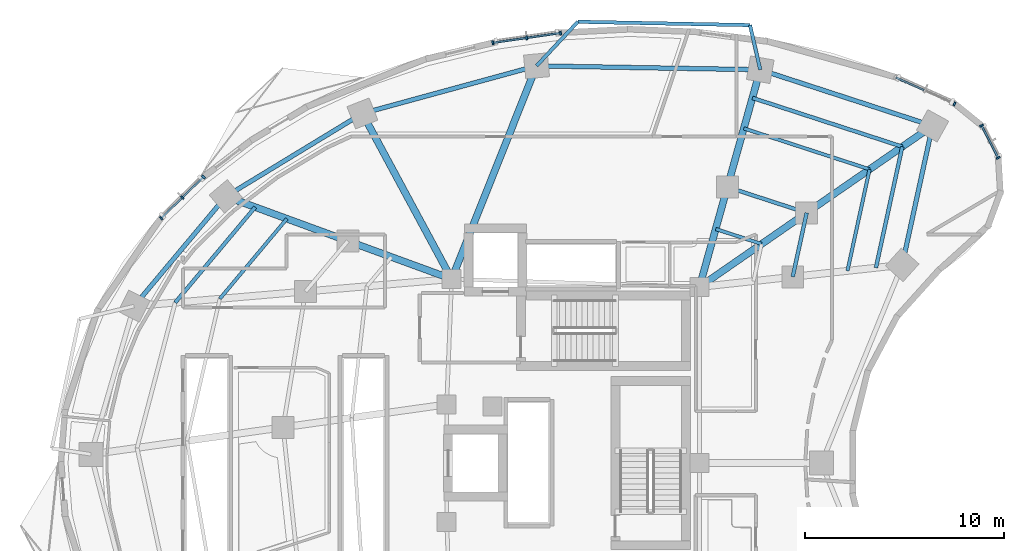
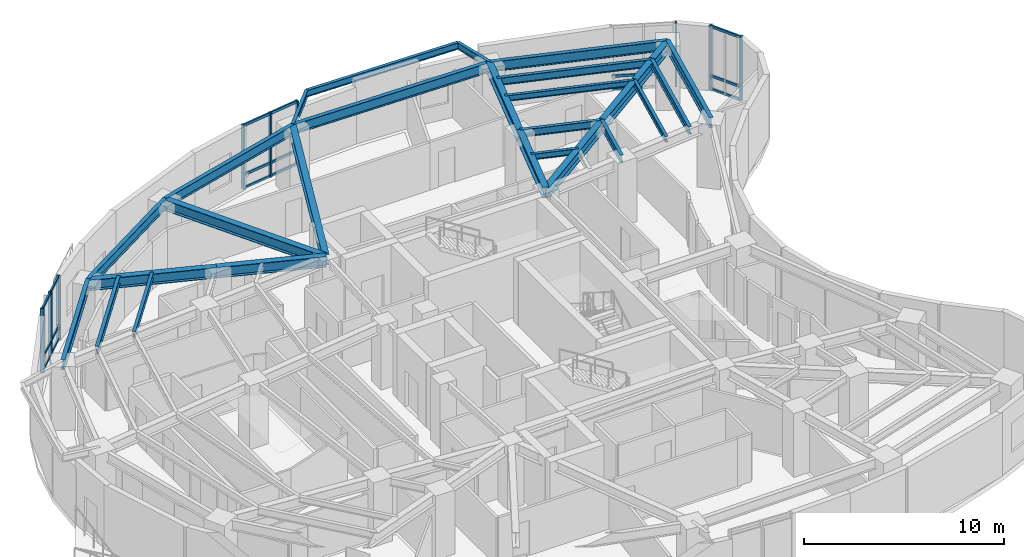
# One storey, part 4 of 14: 26 beams, 26 members, 4 elements without a shape of their own.
"""IFC4 building model written with IfcOpenShell, lengths in metres."""

from ifc_helpers import new_model, si_unit, direction, frame, origin, origin_2d, place, context, subcontext, project, spatial, rectangle, i_section, extrude, material, layer, layer_set, material_profile, profile_set, type_object, element, aggregate, save


model = new_model("IFC4")

# Units and contexts
model_context = context("Model", 3, precision=1e-05, world=origin(), true_north=direction((0.0, 1.0)))
body_context = subcontext(model_context, "Body", "Model", "MODEL_VIEW")
ifc_project = project(units=[si_unit("LENGTHUNIT", "METRE"), si_unit("AREAUNIT", "SQUARE_METRE"), si_unit("VOLUMEUNIT", "CUBIC_METRE"), si_unit("PLANEANGLEUNIT", "RADIAN"), si_unit("MASSUNIT", "GRAM", prefix="KILO")], contexts=[model_context])

# Site, building, storey
site_placement = place(None, origin())
site = spatial("IfcSite", under=ifc_project, at=site_placement, CompositionType="ELEMENT")
building_placement = place(site_placement, origin())
building = spatial("IfcBuilding", under=site, at=building_placement, Name="Korentha Bioscience Tower", CompositionType="ELEMENT")
storey_placement = place(building_placement, frame((0.0, 0.0, 90.0)))
storey = spatial("IfcBuildingStorey", under=building, at=storey_placement, Name="L20", CompositionType="ELEMENT", Elevation=90.0)

# Beams
ifc_material_1 = material(Name="Steel S355", Category="steel")
ifc_material_profile_1 = material_profile(ifc_material_1, i_section(OverallWidth=0.18994140625, OverallDepth=0.45703125, WebThickness=0.009033203125, FlangeThickness=0.014404296875, at=origin_2d()), Name="Steel S355")
ifc_profile_set_1 = profile_set([ifc_material_profile_1], Name="Steel S355 (MB-460)")
beam_type_1 = type_object("IfcBeamType", Name="Mid-Ring Tie Girder W460x74", PredefinedType="BEAM", material=ifc_profile_set_1)
beam_1_placement = place(storey_placement, frame((42.93603515625, 39.57470703125, 3.67138671875), z_axis=(-0.95087582253, 0.309572560361, 0.0), x_axis=(-0.309572560361, -0.95087582253, 0.0)))
element("IfcBeam", 1, at=beam_1_placement, inside=storey, type_object=beam_type_1, Name="L20 Mid-Ring Tie Girder 01", PredefinedType="BEAM", context=body_context, shape_type="SweptSolid", body=[
    extrude(i_section(OverallWidth=0.18994140625, OverallDepth=0.45703125, WebThickness=0.009033203125, FlangeThickness=0.014404296875, at=origin_2d()), origin(), (0.0, 0.0, 1.0), 4.186767578125),
])
beam_2_placement = place(storey_placement, frame((42.235595703125, 36.360595703125, 3.67138671875), z_axis=(0.212928773299, 0.977067724112, 0.0), x_axis=(-0.977067724112, 0.212928773299, 0.0)))
element("IfcBeam", 2, at=beam_2_placement, inside=storey, type_object=beam_type_1, Name="L20 Mid-Ring Tie Girder 16", PredefinedType="BEAM", context=body_context, shape_type="SweptSolid", body=[
    extrude(i_section(OverallWidth=0.18994140625, OverallDepth=0.45703125, WebThickness=0.009033203125, FlangeThickness=0.014404296875, at=origin_2d()), origin(), (0.0, 0.0, 1.0), 3.28955078125),
])

# Curtain wall, member
ifc_material_2 = material(Name="Thermally Broken Aluminium Frame", Category="aluminium")
ifc_layer = layer(ifc_material_2, 0.219970703125, Name="Thermally Broken Aluminium Frame")
ifc_layer_set = layer_set([ifc_layer], Name="Thermally Broken Aluminium Frame (CW-T2)")
curtain_wall_type = type_object("IfcCurtainWallType", Name="Solar-Screened Lab Unitised Curtain Wall CW-T2", PredefinedType="USERDEFINED", material=ifc_layer_set)
curtain_wall_1_placement = place(storey_placement, origin())
curtain_wall_1 = element("IfcCurtainWall", 3, at=curtain_wall_1_placement, inside=storey, type_object=curtain_wall_type, Name="L20 Curtain Wall 01", ObjectType="UNITISED", PredefinedType="USERDEFINED")
ifc_material_3 = material(Name="Anodised Aluminium 6063-T6", Category="aluminium")
ifc_material_profile_2 = material_profile(ifc_material_3, rectangle(XDim=0.090087890625, YDim=0.199951171875, at=origin_2d()), Name="Anodised Aluminium 6063-T6")
ifc_profile_set_2 = profile_set([ifc_material_profile_2], Name="Anodised Aluminium 6063-T6 (CW-MUL)")
member_type_1 = type_object("IfcMemberType", Name="Mullion RECT 90x200", PredefinedType="MULLION", material=ifc_profile_set_2)
member_1_placement = place(storey_placement, frame((50.364013671875, 45.0517578125, 0.0), z_axis=(0.0, 0.0, 1.0), x_axis=(-0.912686563127, 0.408660295952, 0.0)))
member_1 = element("IfcMember", 4, at=member_1_placement, type_object=member_type_1, Name="CW-L20-01 Mullion 1", PredefinedType="MULLION", context=body_context, shape_type="SweptSolid", body=[
    extrude(rectangle(XDim=0.090087890625, YDim=0.199951171875, at=origin_2d()), origin(), (0.0, 0.0, 1.0), 3.89990234375),
])

# Curtain wall, members
curtain_wall_2_placement = place(storey_placement, origin())
curtain_wall_2 = element("IfcCurtainWall", 5, at=curtain_wall_2_placement, inside=storey, type_object=curtain_wall_type, Name="L20 Curtain Wall 07", ObjectType="UNITISED", PredefinedType="USERDEFINED")
member_2_placement = place(storey_placement, frame((30.576416015625, 48.609375, 0.0), z_axis=(0.0, 0.0, 1.0), x_axis=(-0.989738282326, -0.14289203091, 0.0)))
member_2 = element("IfcMember", 6, at=member_2_placement, type_object=member_type_1, Name="CW-L20-07 Mullion 1", PredefinedType="MULLION", context=body_context, shape_type="SweptSolid", body=[
    extrude(rectangle(XDim=0.090087890625, YDim=0.199951171875, at=origin_2d()), origin(), (0.0, 0.0, 1.0), 3.89990234375),
])
member_3_placement = place(storey_placement, frame((28.873291015625, 48.363525390625, 0.0), z_axis=(0.0, 0.0, 1.0), x_axis=(-0.989738282326, -0.14289203091, 0.0)))
member_3 = element("IfcMember", 7, at=member_3_placement, type_object=member_type_1, Name="CW-L20-07 Mullion 2", PredefinedType="MULLION", context=body_context, shape_type="SweptSolid", body=[
    extrude(rectangle(XDim=0.090087890625, YDim=0.199951171875, at=origin_2d()), origin(), (0.0, 0.0, 1.0), 3.89990234375),
])
member_4_placement = place(storey_placement, frame((27.170166015625, 48.11767578125, 0.0), z_axis=(0.0, 0.0, 1.0), x_axis=(-0.989738282326, -0.14289203091, 0.0)))
member_4 = element("IfcMember", 8, at=member_4_placement, type_object=member_type_1, Name="CW-L20-07 Mullion 3", PredefinedType="MULLION", context=body_context, shape_type="SweptSolid", body=[
    extrude(rectangle(XDim=0.090087890625, YDim=0.199951171875, at=origin_2d()), origin(), (0.0, 0.0, 1.0), 3.89990234375),
])

curtain_wall_3_placement = place(storey_placement, origin())
curtain_wall_3 = element("IfcCurtainWall", 9, at=curtain_wall_3_placement, inside=storey, type_object=curtain_wall_type, Name="L20 Curtain Wall 13", ObjectType="UNITISED", PredefinedType="USERDEFINED")
member_5_placement = place(storey_placement, frame((12.631103515625, 41.377197265625, 0.0), z_axis=(0.0, 0.0, 1.0), x_axis=(-0.716095631804, -0.698002182025, 0.0)))
member_5 = element("IfcMember", 10, at=member_5_placement, type_object=member_type_1, Name="CW-L20-13 Mullion 1", PredefinedType="MULLION", context=body_context, shape_type="SweptSolid", body=[
    extrude(rectangle(XDim=0.090087890625, YDim=0.199951171875, at=origin_2d()), origin(), (0.0, 0.0, 1.0), 3.89990234375),
])
member_6_placement = place(storey_placement, frame((11.56689453125, 40.340087890625, 0.0), z_axis=(0.0, 0.0, 1.0), x_axis=(-0.716095631804, -0.698002182025, 0.0)))
member_6 = element("IfcMember", 11, at=member_6_placement, type_object=member_type_1, Name="CW-L20-13 Mullion 2", PredefinedType="MULLION", context=body_context, shape_type="SweptSolid", body=[
    extrude(rectangle(XDim=0.090087890625, YDim=0.199951171875, at=origin_2d()), origin(), (0.0, 0.0, 1.0), 3.89990234375),
])
member_7_placement = place(storey_placement, frame((10.5029296875, 39.302734375, 0.0), z_axis=(0.0, 0.0, 1.0), x_axis=(-0.716095631804, -0.698002182025, 0.0)))
member_7 = element("IfcMember", 12, at=member_7_placement, type_object=member_type_1, Name="CW-L20-13 Mullion 3", PredefinedType="MULLION", context=body_context, shape_type="SweptSolid", body=[
    extrude(rectangle(XDim=0.090087890625, YDim=0.199951171875, at=origin_2d()), origin(), (0.0, 0.0, 1.0), 3.89990234375),
])

curtain_wall_4_placement = place(storey_placement, origin())
curtain_wall_4 = element("IfcCurtainWall", 13, at=curtain_wall_4_placement, inside=storey, type_object=curtain_wall_type, Name="L20 Curtain Wall 61", ObjectType="UNITISED", PredefinedType="USERDEFINED")
member_8_placement = place(storey_placement, frame((52.55859375, 42.337158203125, 0.0), z_axis=(0.0, 0.0, 1.0), x_axis=(-0.457613117169, 0.889151412862, 0.0)))
member_8 = element("IfcMember", 14, at=member_8_placement, type_object=member_type_1, Name="CW-L20-61 Mullion 1", PredefinedType="MULLION", context=body_context, shape_type="SweptSolid", body=[
    extrude(rectangle(XDim=0.090087890625, YDim=0.199951171875, at=origin_2d()), origin(), (0.0, 0.0, 1.0), 3.89990234375),
])
member_9_placement = place(storey_placement, frame((51.722412109375, 43.962158203125, 0.0), z_axis=(0.0, 0.0, 1.0), x_axis=(-0.457613117169, 0.889151412862, 0.0)))
member_9 = element("IfcMember", 15, at=member_9_placement, type_object=member_type_1, Name="CW-L20-61 Mullion 2", PredefinedType="MULLION", context=body_context, shape_type="SweptSolid", body=[
    extrude(rectangle(XDim=0.090087890625, YDim=0.199951171875, at=origin_2d()), origin(), (0.0, 0.0, 1.0), 3.89990234375),
])

# Beams
ifc_material_profile_3 = material_profile(ifc_material_1, i_section(OverallWidth=0.22802734375, OverallDepth=0.60791015625, WebThickness=0.01123046875, FlangeThickness=0.017333984375, at=origin_2d()), Name="Steel S355")
ifc_profile_set_3 = profile_set([ifc_material_profile_3], Name="Steel S355 (SB-610)")
beam_type_2 = type_object("IfcBeamType", Name="Perimeter Ring Spandrel Girder W610x113", PredefinedType="SPANDREL", material=ifc_profile_set_3)
beam_3_placement = place(storey_placement, frame((49.2587890625, 43.947021484375, 3.595947265625), z_axis=(-0.950867758759, 0.309597327755, 0.0), x_axis=(-0.309597327755, -0.950867758759, 0.0)))
element("IfcBeam", 16, at=beam_3_placement, inside=storey, type_object=beam_type_2, Name="L20 Perimeter Spandrel Girder 01", PredefinedType="SPANDREL", context=body_context, shape_type="SweptSolid", body=[
    extrude(i_section(OverallWidth=0.22802734375, OverallDepth=0.60791015625, WebThickness=0.01123046875, FlangeThickness=0.017333984375, at=origin_2d()), origin(), (0.0, 0.0, 1.0), 9.101806640625),
])
beam_4_placement = place(storey_placement, frame((40.604248046875, 46.764892578125, 3.595947265625), z_axis=(-0.999850566826, 0.017287105523, 0.0), x_axis=(-0.017287105523, -0.999850566826, 0.0)))
element("IfcBeam", 17, at=beam_4_placement, inside=storey, type_object=beam_type_2, Name="L20 Perimeter Spandrel Girder 02", PredefinedType="SPANDREL", context=body_context, shape_type="SweptSolid", body=[
    extrude(i_section(OverallWidth=0.22802734375, OverallDepth=0.60791015625, WebThickness=0.01123046875, FlangeThickness=0.017333984375, at=origin_2d()), origin(), (0.0, 0.0, 1.0), 11.24169921875),
])
beam_5_placement = place(storey_placement, frame((29.3642578125, 46.959228515625, 3.595947265625), z_axis=(-0.964659386444, -0.263500034431, 0.0), x_axis=(0.263500034431, -0.964659386444, 0.0)))
element("IfcBeam", 18, at=beam_5_placement, inside=storey, type_object=beam_type_2, Name="L20 Perimeter Spandrel Girder 03", PredefinedType="SPANDREL", context=body_context, shape_type="SweptSolid", body=[
    extrude(i_section(OverallWidth=0.22802734375, OverallDepth=0.60791015625, WebThickness=0.01123046875, FlangeThickness=0.017333984375, at=origin_2d()), origin(), (0.0, 0.0, 1.0), 9.06982421875),
])
beam_6_placement = place(storey_placement, frame((20.614990234375, 44.5693359375, 3.595947265625), z_axis=(-0.854461040474, -0.51951547649, 0.0), x_axis=(0.51951547649, -0.854461040474, 0.0)))
element("IfcBeam", 19, at=beam_6_placement, inside=storey, type_object=beam_type_2, Name="L20 Perimeter Spandrel Girder 04", PredefinedType="SPANDREL", context=body_context, shape_type="SweptSolid", body=[
    extrude(i_section(OverallWidth=0.22802734375, OverallDepth=0.60791015625, WebThickness=0.01123046875, FlangeThickness=0.017333984375, at=origin_2d()), origin(), (0.0, 0.0, 1.0), 8.025146484375),
])
beam_7_placement = place(storey_placement, frame((13.7578125, 40.400146484375, 3.595947265625), z_axis=(-0.642126556076, -0.76659864726, 0.0), x_axis=(0.76659864726, -0.642126556076, 0.0)))
element("IfcBeam", 20, at=beam_7_placement, inside=storey, type_object=beam_type_2, Name="L20 Perimeter Spandrel Girder 05", PredefinedType="SPANDREL", context=body_context, shape_type="SweptSolid", body=[
    extrude(i_section(OverallWidth=0.22802734375, OverallDepth=0.60791015625, WebThickness=0.01123046875, FlangeThickness=0.017333984375, at=origin_2d()), origin(), (0.0, 0.0, 1.0), 7.1884765625),
])
beam_8_placement = place(storey_placement, frame((47.736083984375, 36.959716796875, 3.595947265625), z_axis=(0.212927102256, 0.977068088275, 0.0), x_axis=(-0.977068088275, 0.212927102256, 0.0)))
element("IfcBeam", 21, at=beam_8_placement, inside=storey, type_object=beam_type_2, Name="L20 Perimeter Spandrel Girder 16", PredefinedType="SPANDREL", context=body_context, shape_type="SweptSolid", body=[
    extrude(i_section(OverallWidth=0.22802734375, OverallDepth=0.60791015625, WebThickness=0.01123046875, FlangeThickness=0.017333984375, at=origin_2d()), origin(), (0.0, 0.0, 1.0), 7.1513671875),
])
ifc_material_profile_4 = material_profile(ifc_material_1, i_section(OverallWidth=0.18994140625, OverallDepth=0.45703125, WebThickness=0.009033203125, FlangeThickness=0.014404296875, at=origin_2d()), Name="Steel S355")
ifc_profile_set_4 = profile_set([ifc_material_profile_4], Name="Steel S355 (RB-460)")
beam_type_3 = type_object("IfcBeamType", Name="Radial Laboratory Beam W460x74", PredefinedType="BEAM", material=ifc_profile_set_4)
beam_9_placement = place(storey_placement, frame((47.7412109375, 42.8974609375, 3.67138671875), z_axis=(-0.950866789802, 0.3096003037, 0.0), x_axis=(-0.3096003037, -0.950866789802, 0.0)))
element("IfcBeam", 22, at=beam_9_placement, inside=storey, type_object=beam_type_3, Name="L20 Secondary Floor Beam JSTO-01", PredefinedType="BEAM", context=body_context, shape_type="SweptSolid", body=[
    extrude(i_section(OverallWidth=0.18994140625, OverallDepth=0.45703125, WebThickness=0.009033203125, FlangeThickness=0.014404296875, at=origin_2d()), origin(), (0.0, 0.0, 1.0), 7.921875),
])
beam_10_placement = place(storey_placement, frame((15.227783203125, 39.8623046875, 3.67138671875), z_axis=(-0.642128156066, -0.766597307057, 0.0), x_axis=(0.766597307057, -0.642128156066, 0.0)))
element("IfcBeam", 23, at=beam_10_placement, inside=storey, type_object=beam_type_3, Name="L20 Secondary Floor Beam JSTO-05", PredefinedType="BEAM", context=body_context, shape_type="SweptSolid", body=[
    extrude(i_section(OverallWidth=0.18994140625, OverallDepth=0.45703125, WebThickness=0.009033203125, FlangeThickness=0.014404296875, at=origin_2d()), origin(), (0.0, 0.0, 1.0), 6.257080078125),
])
beam_11_placement = place(storey_placement, frame((46.416015625, 36.81591796875, 3.67138671875), z_axis=(0.21290837934, 0.977072168269, 0.0), x_axis=(-0.977072168269, 0.21290837934, 0.0)))
element("IfcBeam", 24, at=beam_11_placement, inside=storey, type_object=beam_type_3, Name="L20 Secondary Floor Beam JSTO-16", PredefinedType="BEAM", context=body_context, shape_type="SweptSolid", body=[
    extrude(i_section(OverallWidth=0.18994140625, OverallDepth=0.45703125, WebThickness=0.009033203125, FlangeThickness=0.014404296875, at=origin_2d()), origin(), (0.0, 0.0, 1.0), 6.224365234375),
])
ifc_material_profile_5 = material_profile(ifc_material_1, i_section(OverallWidth=0.35009765625, OverallDepth=0.64990234375, WebThickness=0.01611328125, FlangeThickness=0.02490234375, at=origin_2d()), Name="Steel S355")
ifc_profile_set_5 = profile_set([ifc_material_profile_5], Name="Steel S355 (RB-650)")
beam_type_4 = type_object("IfcBeamType", Name="Radial Laboratory Girder CVS 650x208", PredefinedType="BEAM", material=ifc_profile_set_5)
beam_12_placement = place(storey_placement, frame((37.550048828125, 35.85009765625, 3.574951171875), z_axis=(0.822488699387, 0.568781451333, 0.0), x_axis=(-0.568781451333, 0.822488699387, 0.0)))
element("IfcBeam", 25, at=beam_12_placement, inside=storey, type_object=beam_type_4, Name="L20 Inner Radial Girder 01", PredefinedType="BEAM", context=body_context, shape_type="SweptSolid", body=[
    extrude(i_section(OverallWidth=0.35009765625, OverallDepth=0.64990234375, WebThickness=0.01611328125, FlangeThickness=0.02490234375, at=origin_2d()), origin(), (0.0, 0.0, 1.0), 6.54833984375),
])
beam_13_placement = place(storey_placement, frame((42.93603515625, 39.57470703125, 3.574951171875), z_axis=(0.822495056204, 0.568772258922, 0.0), x_axis=(-0.568772258922, 0.822495056204, 0.0)))
element("IfcBeam", 26, at=beam_13_placement, inside=storey, type_object=beam_type_4, Name="L20 Outer Radial Girder 01", PredefinedType="BEAM", context=body_context, shape_type="SweptSolid", body=[
    extrude(i_section(OverallWidth=0.35009765625, OverallDepth=0.64990234375, WebThickness=0.01611328125, FlangeThickness=0.02490234375, at=origin_2d()), origin(), (0.0, 0.0, 1.0), 7.687255859375),
])
beam_14_placement = place(storey_placement, frame((37.550048828125, 35.85009765625, 3.574951171875), z_axis=(0.269447542125, 0.96301506844, 0.0), x_axis=(-0.96301506844, 0.269447542125, 0.0)))
element("IfcBeam", 27, at=beam_14_placement, inside=storey, type_object=beam_type_4, Name="L20 Inner Radial Girder 02", PredefinedType="BEAM", context=body_context, shape_type="SweptSolid", body=[
    extrude(i_section(OverallWidth=0.35009765625, OverallDepth=0.64990234375, WebThickness=0.01611328125, FlangeThickness=0.02490234375, at=origin_2d()), origin(), (0.0, 0.0, 1.0), 5.213623046875),
])
beam_15_placement = place(storey_placement, frame((38.954833984375, 40.870849609375, 3.574951171875), z_axis=(0.269490843458, 0.963002951861, 0.0), x_axis=(-0.963002951861, 0.269490843458, 0.0)))
element("IfcBeam", 28, at=beam_15_placement, inside=storey, type_object=beam_type_4, Name="L20 Outer Radial Girder 02", PredefinedType="BEAM", context=body_context, shape_type="SweptSolid", body=[
    extrude(i_section(OverallWidth=0.35009765625, OverallDepth=0.64990234375, WebThickness=0.01611328125, FlangeThickness=0.02490234375, at=origin_2d()), origin(), (0.0, 0.0, 1.0), 6.120361328125),
])
beam_16_placement = place(storey_placement, frame((25.10009765625, 36.25, 3.574951171875), z_axis=(0.369929528493, 0.929059817207, 0.0), x_axis=(-0.929059817207, 0.369929528493, 0.0)))
element("IfcBeam", 29, at=beam_16_placement, inside=storey, type_object=beam_type_4, Name="L20 Radial Girder 03", PredefinedType="BEAM", context=body_context, shape_type="SweptSolid", body=[
    extrude(i_section(OverallWidth=0.35009765625, OverallDepth=0.64990234375, WebThickness=0.01611328125, FlangeThickness=0.02490234375, at=origin_2d()), origin(), (0.0, 0.0, 1.0), 11.52685546875),
])
beam_17_placement = place(storey_placement, frame((25.10009765625, 36.25, 3.574951171875), z_axis=(-0.474548018732, 0.880229616587, 0.0), x_axis=(-0.880229616587, -0.474548018732, 0.0)))
element("IfcBeam", 30, at=beam_17_placement, inside=storey, type_object=beam_type_4, Name="L20 Radial Girder 04", PredefinedType="BEAM", context=body_context, shape_type="SweptSolid", body=[
    extrude(i_section(OverallWidth=0.35009765625, OverallDepth=0.64990234375, WebThickness=0.01611328125, FlangeThickness=0.02490234375, at=origin_2d()), origin(), (0.0, 0.0, 1.0), 9.451416015625),
])
beam_18_placement = place(storey_placement, frame((25.10009765625, 36.25, 3.574951171875), z_axis=(-0.939118010396, 0.343594765022, 0.0), x_axis=(-0.343594765022, -0.939118010396, 0.0)))
element("IfcBeam", 31, at=beam_18_placement, inside=storey, type_object=beam_type_4, Name="L20 Inner Radial Girder 05", PredefinedType="BEAM", context=body_context, shape_type="SweptSolid", body=[
    extrude(i_section(OverallWidth=0.35009765625, OverallDepth=0.64990234375, WebThickness=0.01611328125, FlangeThickness=0.02490234375, at=origin_2d()), origin(), (0.0, 0.0, 1.0), 5.5556640625),
])
beam_19_placement = place(storey_placement, frame((19.882568359375, 38.158935546875, 3.574951171875), z_axis=(-0.939100755225, 0.343641923425, 0.0), x_axis=(-0.343641923425, -0.939100755225, 0.0)))
element("IfcBeam", 32, at=beam_19_placement, inside=storey, type_object=beam_type_4, Name="L20 Outer Radial Girder 05", PredefinedType="BEAM", context=body_context, shape_type="SweptSolid", body=[
    extrude(i_section(OverallWidth=0.35009765625, OverallDepth=0.64990234375, WebThickness=0.01611328125, FlangeThickness=0.02490234375, at=origin_2d()), origin(), (0.0, 0.0, 1.0), 6.52197265625),
])
ifc_material_profile_6 = material_profile(ifc_material_1, i_section(OverallWidth=0.1708984375, OverallDepth=0.35498046875, WebThickness=0.007080078125, FlangeThickness=0.01171875, at=origin_2d()), Name="Steel S355")
ifc_profile_set_6 = profile_set([ifc_material_profile_6], Name="Steel S355 (JB-360)")
beam_type_5 = type_object("IfcBeamType", Name="Secondary Laboratory Joist W360x51", PredefinedType="JOIST", material=ifc_profile_set_6)
beam_20_placement = place(storey_placement, frame((46.097412109375, 41.7607421875, 3.722412109375), z_axis=(-0.950864890997, 0.309606135387, 0.0), x_axis=(-0.309606135387, -0.950864890997, 0.0)))
element("IfcBeam", 33, at=beam_20_placement, inside=storey, type_object=beam_type_5, Name="L20 Secondary Floor Beam JST-01", PredefinedType="JOIST", context=body_context, shape_type="SweptSolid", body=[
    extrude(i_section(OverallWidth=0.1708984375, OverallDepth=0.35498046875, WebThickness=0.007080078125, FlangeThickness=0.01171875, at=origin_2d()), origin(), (0.0, 0.0, 1.0), 6.644287109375),
])
beam_21_placement = place(storey_placement, frame((40.673828125, 38.01025390625, 3.722412109375), z_axis=(-0.950852158547, 0.30964523666, 0.0), x_axis=(-0.30964523666, -0.950852158547, 0.0)))
element("IfcBeam", 34, at=beam_21_placement, inside=storey, type_object=beam_type_5, Name="L20 Inner Bay Joist 01", PredefinedType="JOIST", context=body_context, shape_type="SweptSolid", body=[
    extrude(i_section(OverallWidth=0.1708984375, OverallDepth=0.35498046875, WebThickness=0.007080078125, FlangeThickness=0.01171875, at=origin_2d()), origin(), (0.0, 0.0, 1.0), 2.428466796875),
])
beam_22_placement = place(storey_placement, frame((16.8203125, 39.279541015625, 3.722412109375), z_axis=(-0.642140812018, -0.76658670582, 0.0), x_axis=(0.76658670582, -0.642140812018, 0.0)))
element("IfcBeam", 35, at=beam_22_placement, inside=storey, type_object=beam_type_5, Name="L20 Secondary Floor Beam JST-05", PredefinedType="JOIST", context=body_context, shape_type="SweptSolid", body=[
    extrude(i_section(OverallWidth=0.1708984375, OverallDepth=0.35498046875, WebThickness=0.007080078125, FlangeThickness=0.01171875, at=origin_2d()), origin(), (0.0, 0.0, 1.0), 5.247802734375),
])
beam_23_placement = place(storey_placement, frame((44.98583984375, 36.66015625, 3.722412109375), z_axis=(0.212932493609, 0.977066913351, 0.0), x_axis=(-0.977066913351, 0.212932493609, 0.0)))
element("IfcBeam", 36, at=beam_23_placement, inside=storey, type_object=beam_type_5, Name="L20 Secondary Floor Beam JST-16", PredefinedType="JOIST", context=body_context, shape_type="SweptSolid", body=[
    extrude(i_section(OverallWidth=0.1708984375, OverallDepth=0.35498046875, WebThickness=0.007080078125, FlangeThickness=0.01171875, at=origin_2d()), origin(), (0.0, 0.0, 1.0), 5.22021484375),
])
ifc_material_profile_7 = material_profile(ifc_material_1, i_section(OverallWidth=0.177978515625, OverallDepth=0.406982421875, WebThickness=0.0078125, FlangeThickness=0.0126953125, at=origin_2d()), Name="Steel S355")
ifc_profile_set_7 = profile_set([ifc_material_profile_7], Name="Steel S355 (CB-410)")
beam_type_6 = type_object("IfcBeamType", Name="Sun-Ledge Cantilever Beam W410x60", PredefinedType="BEAM", material=ifc_profile_set_7)
beam_24_placement = place(storey_placement, frame((40.604248046875, 46.764892578125, 3.698486328125), z_axis=(-0.223355143681, 0.974737133688, 0.0), x_axis=(-0.974737133688, -0.223355143681, 0.0)))
element("IfcBeam", 37, at=beam_24_placement, inside=storey, type_object=beam_type_6, Name="L20 Balcony Cantilever Bracket A-L21-01", PredefinedType="BEAM", context=body_context, shape_type="SweptSolid", body=[
    extrude(i_section(OverallWidth=0.177978515625, OverallDepth=0.406982421875, WebThickness=0.0078125, FlangeThickness=0.0126953125, at=origin_2d()), origin(), (0.0, 0.0, 1.0), 2.2998046875),
])
beam_25_placement = place(storey_placement, frame((29.3642578125, 46.959228515625, 3.698486328125), z_axis=(0.683612079986, 0.729845548111, 0.0), x_axis=(-0.729845548111, 0.683612079986, 0.0)))
element("IfcBeam", 38, at=beam_25_placement, inside=storey, type_object=beam_type_6, Name="L20 Balcony Cantilever Bracket B-L21-01", PredefinedType="BEAM", context=body_context, shape_type="SweptSolid", body=[
    extrude(i_section(OverallWidth=0.177978515625, OverallDepth=0.406982421875, WebThickness=0.0078125, FlangeThickness=0.0126953125, at=origin_2d()), origin(), (0.0, 0.0, 1.0), 3.036376953125),
])
beam_26_placement = place(storey_placement, frame((40.090576171875, 49.006591796875, 3.698486328125), z_axis=(-0.999809898127, 0.019497887269, 0.0), x_axis=(-0.019497887269, -0.999809898127, 0.0)))
element("IfcBeam", 39, at=beam_26_placement, inside=storey, type_object=beam_type_6, Name="L20 Balcony Edge Trimmer Beam L21-01", PredefinedType="BEAM", context=body_context, shape_type="SweptSolid", body=[
    extrude(i_section(OverallWidth=0.177978515625, OverallDepth=0.406982421875, WebThickness=0.0078125, FlangeThickness=0.0126953125, at=origin_2d()), origin(), (0.0, 0.0, 1.0), 8.65234375),
])

# Member
ifc_material_profile_8 = material_profile(ifc_material_3, rectangle(XDim=0.090087890625, YDim=0.159912109375, at=origin_2d()), Name="Anodised Aluminium 6063-T6")
ifc_profile_set_8 = profile_set([ifc_material_profile_8], Name="Anodised Aluminium 6063-T6 (CW-TRN)")
member_type_2 = type_object("IfcMemberType", Name="Transom RECT 90x160", PredefinedType="USERDEFINED", material=ifc_profile_set_8)
member_10_placement = place(storey_placement, frame((48.830322265625, 45.738525390625, 0.044921875), z_axis=(-0.912667864607, 0.408702053962, 0.0), x_axis=(-0.408702053962, -0.912667864607, 0.0)))
member_10 = element("IfcMember", 40, at=member_10_placement, type_object=member_type_2, Name="CW-L20-01 Bay 2 Transom 1", ObjectType="TRANSOM", PredefinedType="USERDEFINED", context=body_context, shape_type="SweptSolid", body=[
    extrude(rectangle(XDim=0.090087890625, YDim=0.159912109375, at=origin_2d()), origin(), (0.0, 0.0, 1.0), 1.54541015625),
])

member_11_placement = place(storey_placement, frame((48.830322265625, 45.738525390625, 0.85009765625), z_axis=(-0.912667864607, 0.408702053962, 0.0), x_axis=(-0.408702053962, -0.912667864607, 0.0)))
member_11 = element("IfcMember", 41, at=member_11_placement, type_object=member_type_2, Name="CW-L20-01 Bay 2 Transom 2", ObjectType="TRANSOM", PredefinedType="USERDEFINED", context=body_context, shape_type="SweptSolid", body=[
    extrude(rectangle(XDim=0.090087890625, YDim=0.159912109375, at=origin_2d()), origin(), (0.0, 0.0, 1.0), 1.54541015625),
])

aggregate(curtain_wall_1, [member_1, member_10, member_11])

member_12_placement = place(storey_placement, frame((30.53173828125, 48.602783203125, 0.044921875), z_axis=(-0.989747883164, -0.142825515132, 0.0), x_axis=(0.142825515132, -0.989747883164, 0.0)))
member_12 = element("IfcMember", 42, at=member_12_placement, type_object=member_type_2, Name="CW-L20-07 Bay 1 Transom 1", ObjectType="TRANSOM", PredefinedType="USERDEFINED", context=body_context, shape_type="SweptSolid", body=[
    extrude(rectangle(XDim=0.090087890625, YDim=0.159912109375, at=origin_2d()), origin(), (0.0, 0.0, 1.0), 1.630615234375),
])

member_13_placement = place(storey_placement, frame((30.53173828125, 48.602783203125, 0.85009765625), z_axis=(-0.989747883164, -0.142825515132, 0.0), x_axis=(0.142825515132, -0.989747883164, 0.0)))
member_13 = element("IfcMember", 43, at=member_13_placement, type_object=member_type_2, Name="CW-L20-07 Bay 1 Transom 2", ObjectType="TRANSOM", PredefinedType="USERDEFINED", context=body_context, shape_type="SweptSolid", body=[
    extrude(rectangle(XDim=0.090087890625, YDim=0.159912109375, at=origin_2d()), origin(), (0.0, 0.0, 1.0), 1.630615234375),
])

member_14_placement = place(storey_placement, frame((30.53173828125, 48.602783203125, 3.85498046875), z_axis=(-0.989747883164, -0.142825515132, 0.0), x_axis=(0.142825515132, -0.989747883164, 0.0)))
member_14 = element("IfcMember", 44, at=member_14_placement, type_object=member_type_2, Name="CW-L20-07 Bay 1 Transom 3", ObjectType="TRANSOM", PredefinedType="USERDEFINED", context=body_context, shape_type="SweptSolid", body=[
    extrude(rectangle(XDim=0.090087890625, YDim=0.159912109375, at=origin_2d()), origin(), (0.0, 0.0, 1.0), 1.630615234375),
])

member_15_placement = place(storey_placement, frame((28.82861328125, 48.357177734375, 0.044921875), z_axis=(-0.989723648346, -0.142993356153, 0.0), x_axis=(0.142993356153, -0.989723648346, 0.0)))
member_15 = element("IfcMember", 45, at=member_15_placement, type_object=member_type_2, Name="CW-L20-07 Bay 2 Transom 1", ObjectType="TRANSOM", PredefinedType="USERDEFINED", context=body_context, shape_type="SweptSolid", body=[
    extrude(rectangle(XDim=0.090087890625, YDim=0.159912109375, at=origin_2d()), origin(), (0.0, 0.0, 1.0), 1.630615234375),
])

member_16_placement = place(storey_placement, frame((28.82861328125, 48.357177734375, 0.85009765625), z_axis=(-0.989723648346, -0.142993356153, 0.0), x_axis=(0.142993356153, -0.989723648346, 0.0)))
member_16 = element("IfcMember", 46, at=member_16_placement, type_object=member_type_2, Name="CW-L20-07 Bay 2 Transom 2", ObjectType="TRANSOM", PredefinedType="USERDEFINED", context=body_context, shape_type="SweptSolid", body=[
    extrude(rectangle(XDim=0.090087890625, YDim=0.159912109375, at=origin_2d()), origin(), (0.0, 0.0, 1.0), 1.630615234375),
])

member_17_placement = place(storey_placement, frame((28.82861328125, 48.357177734375, 3.85498046875), z_axis=(-0.989723648346, -0.142993356153, 0.0), x_axis=(0.142993356153, -0.989723648346, 0.0)))
member_17 = element("IfcMember", 47, at=member_17_placement, type_object=member_type_2, Name="CW-L20-07 Bay 2 Transom 3", ObjectType="TRANSOM", PredefinedType="USERDEFINED", context=body_context, shape_type="SweptSolid", body=[
    extrude(rectangle(XDim=0.090087890625, YDim=0.159912109375, at=origin_2d()), origin(), (0.0, 0.0, 1.0), 1.630615234375),
])

aggregate(curtain_wall_2, [member_2, member_3, member_4, member_12, member_13, member_14, member_15, member_16, member_17])

member_18_placement = place(storey_placement, frame((12.598876953125, 41.345703125, 0.044921875), z_axis=(-0.716142170971, -0.697954433296, 0.0), x_axis=(0.697954433296, -0.716142170971, 0.0)))
member_18 = element("IfcMember", 48, at=member_18_placement, type_object=member_type_2, Name="CW-L20-13 Bay 1 Transom 1", ObjectType="TRANSOM", PredefinedType="USERDEFINED", context=body_context, shape_type="SweptSolid", body=[
    extrude(rectangle(XDim=0.090087890625, YDim=0.159912109375, at=origin_2d()), origin(), (0.0, 0.0, 1.0), 1.39599609375),
])

member_19_placement = place(storey_placement, frame((12.598876953125, 41.345703125, 0.85009765625), z_axis=(-0.716142170971, -0.697954433296, 0.0), x_axis=(0.697954433296, -0.716142170971, 0.0)))
member_19 = element("IfcMember", 49, at=member_19_placement, type_object=member_type_2, Name="CW-L20-13 Bay 1 Transom 2", ObjectType="TRANSOM", PredefinedType="USERDEFINED", context=body_context, shape_type="SweptSolid", body=[
    extrude(rectangle(XDim=0.090087890625, YDim=0.159912109375, at=origin_2d()), origin(), (0.0, 0.0, 1.0), 1.39599609375),
])

member_20_placement = place(storey_placement, frame((12.598876953125, 41.345703125, 3.85498046875), z_axis=(-0.716142170971, -0.697954433296, 0.0), x_axis=(0.697954433296, -0.716142170971, 0.0)))
member_20 = element("IfcMember", 50, at=member_20_placement, type_object=member_type_2, Name="CW-L20-13 Bay 1 Transom 3", ObjectType="TRANSOM", PredefinedType="USERDEFINED", context=body_context, shape_type="SweptSolid", body=[
    extrude(rectangle(XDim=0.090087890625, YDim=0.159912109375, at=origin_2d()), origin(), (0.0, 0.0, 1.0), 1.39599609375),
])

member_21_placement = place(storey_placement, frame((11.534912109375, 40.30859375, 0.044921875), z_axis=(-0.716142170971, -0.697954433296, 0.0), x_axis=(0.697954433296, -0.716142170971, 0.0)))
member_21 = element("IfcMember", 51, at=member_21_placement, type_object=member_type_2, Name="CW-L20-13 Bay 2 Transom 1", ObjectType="TRANSOM", PredefinedType="USERDEFINED", context=body_context, shape_type="SweptSolid", body=[
    extrude(rectangle(XDim=0.090087890625, YDim=0.159912109375, at=origin_2d()), origin(), (0.0, 0.0, 1.0), 1.39599609375),
])

member_22_placement = place(storey_placement, frame((11.534912109375, 40.30859375, 0.85009765625), z_axis=(-0.716142170971, -0.697954433296, 0.0), x_axis=(0.697954433296, -0.716142170971, 0.0)))
member_22 = element("IfcMember", 52, at=member_22_placement, type_object=member_type_2, Name="CW-L20-13 Bay 2 Transom 2", ObjectType="TRANSOM", PredefinedType="USERDEFINED", context=body_context, shape_type="SweptSolid", body=[
    extrude(rectangle(XDim=0.090087890625, YDim=0.159912109375, at=origin_2d()), origin(), (0.0, 0.0, 1.0), 1.39599609375),
])

member_23_placement = place(storey_placement, frame((11.534912109375, 40.30859375, 3.85498046875), z_axis=(-0.716142170971, -0.697954433296, 0.0), x_axis=(0.697954433296, -0.716142170971, 0.0)))
member_23 = element("IfcMember", 53, at=member_23_placement, type_object=member_type_2, Name="CW-L20-13 Bay 2 Transom 3", ObjectType="TRANSOM", PredefinedType="USERDEFINED", context=body_context, shape_type="SweptSolid", body=[
    extrude(rectangle(XDim=0.090087890625, YDim=0.159912109375, at=origin_2d()), origin(), (0.0, 0.0, 1.0), 1.39599609375),
])

aggregate(curtain_wall_3, [member_5, member_6, member_7, member_18, member_19, member_20, member_21, member_22, member_23])

member_24_placement = place(storey_placement, frame((52.5380859375, 42.377197265625, 0.044921875), z_axis=(-0.457636897633, 0.889139173541, 0.0), x_axis=(-0.889139173541, -0.457636897633, 0.0)))
member_24 = element("IfcMember", 54, at=member_24_placement, type_object=member_type_2, Name="CW-L20-61 Bay 1 Transom 1", ObjectType="TRANSOM", PredefinedType="USERDEFINED", context=body_context, shape_type="SweptSolid", body=[
    extrude(rectangle(XDim=0.090087890625, YDim=0.159912109375, at=origin_2d()), origin(), (0.0, 0.0, 1.0), 1.737548828125),
])

member_25_placement = place(storey_placement, frame((52.5380859375, 42.377197265625, 0.85009765625), z_axis=(-0.457636897633, 0.889139173541, 0.0), x_axis=(-0.889139173541, -0.457636897633, 0.0)))
member_25 = element("IfcMember", 55, at=member_25_placement, type_object=member_type_2, Name="CW-L20-61 Bay 1 Transom 2", ObjectType="TRANSOM", PredefinedType="USERDEFINED", context=body_context, shape_type="SweptSolid", body=[
    extrude(rectangle(XDim=0.090087890625, YDim=0.159912109375, at=origin_2d()), origin(), (0.0, 0.0, 1.0), 1.737548828125),
])

member_26_placement = place(storey_placement, frame((52.5380859375, 42.377197265625, 3.85498046875), z_axis=(-0.457636897633, 0.889139173541, 0.0), x_axis=(-0.889139173541, -0.457636897633, 0.0)))
member_26 = element("IfcMember", 56, at=member_26_placement, type_object=member_type_2, Name="CW-L20-61 Bay 1 Transom 3", ObjectType="TRANSOM", PredefinedType="USERDEFINED", context=body_context, shape_type="SweptSolid", body=[
    extrude(rectangle(XDim=0.090087890625, YDim=0.159912109375, at=origin_2d()), origin(), (0.0, 0.0, 1.0), 1.737548828125),
])

aggregate(curtain_wall_4, [member_8, member_9, member_24, member_25, member_26])

save(model, "model.ifc")
